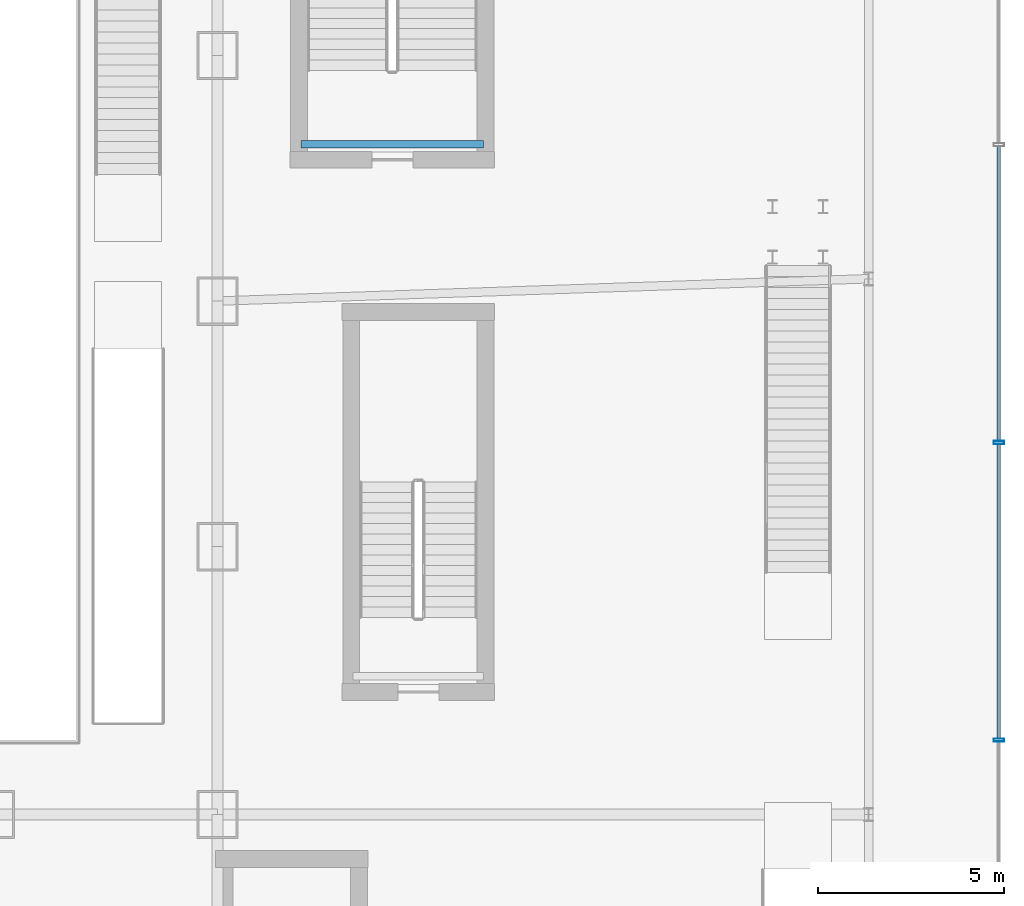
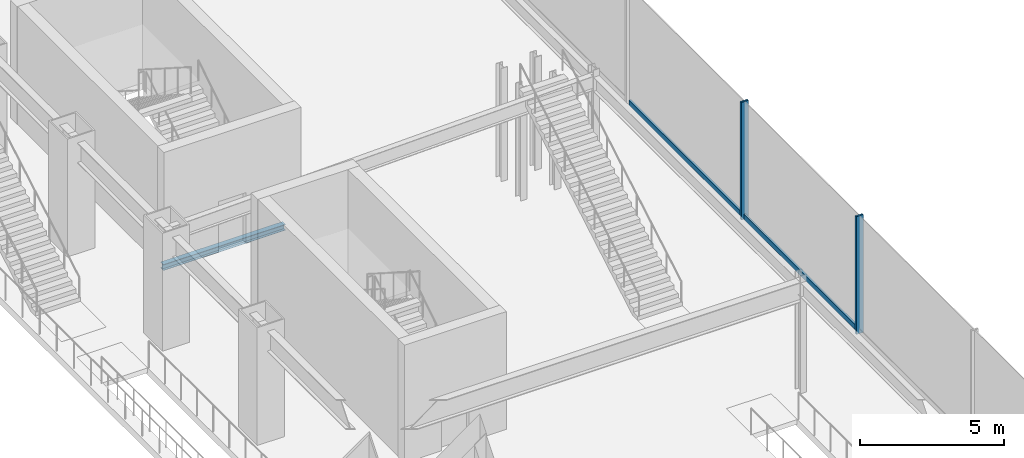
# One storey, part 23 of 40: 4 members, 1 beam, 1 element without a shape of its own.
"""IFC4 building model written with IfcOpenShell, lengths in metres."""

from ifc_helpers import new_model, si_unit, derived_unit, direction, frame, origin, origin_2d, place, context, subcontext, project, spatial, hollow_rectangle, i_section, extrude, source, transform, mapped, material, material_profile, profile_set, type_object, element, aggregate, save


model = new_model("IFC4")

# Units and contexts
model_context = context("Model", 3, precision=1e-05, world=origin(), true_north=direction((0.0, 1.0)))
body_context = subcontext(model_context, "Body", "Model", "MODEL_VIEW")
ifc_project = project(units=[si_unit("LENGTHUNIT", "METRE"), si_unit("AREAUNIT", "SQUARE_METRE"), si_unit("VOLUMEUNIT", "CUBIC_METRE"), si_unit("PLANEANGLEUNIT", "RADIAN"), si_unit("MASSUNIT", "GRAM", prefix="KILO"), derived_unit("THERMALTRANSMITTANCEUNIT", [(si_unit("POWERUNIT", "WATT"), 1), (si_unit("LENGTHUNIT", "METRE"), -2), (si_unit("THERMODYNAMICTEMPERATUREUNIT", "KELVIN"), -1)])], contexts=[model_context])

# Site, building, storey
site_placement = place(None, origin())
site = spatial("IfcSite", under=ifc_project, at=site_placement, CompositionType="ELEMENT")
building_placement = place(site_placement, origin())
building = spatial("IfcBuilding", under=site, at=building_placement, Name="Skarnbrae Concourse Arena and Tower", CompositionType="ELEMENT")
storey_placement = place(building_placement, frame((0.0, 0.0, 6.0)))
storey = spatial("IfcBuildingStorey", under=building, at=storey_placement, Name="L01", CompositionType="ELEMENT", Elevation=6.0)

# Curtain wall, members
ifc_material_1 = material(Name="Bronze anodised aluminium 6063-T6", Category="aluminium")
curtain_wall_type = type_object("IfcCurtainWallType", Name="CW-SYS-01-PODIUM", PredefinedType="USERDEFINED", material=ifc_material_1)
curtain_wall_placement = place(storey_placement, origin())
curtain_wall = element("IfcCurtainWall", 1, at=curtain_wall_placement, inside=storey, type_object=curtain_wall_type, Name="L01 Unitised curtain wall CW-L01-E", ObjectType="UNITISED CURTAIN WALL", PredefinedType="USERDEFINED")
ifc_material_profile_1 = material_profile(ifc_material_1, hollow_rectangle(XDim=0.0849609375, YDim=0.280029296875, WallThickness=0.006103515625, at=origin_2d()), Name="ALU-MULL-85X280")
ifc_profile_set_1 = profile_set([ifc_material_profile_1], Name="Bronze anodised aluminium 6063-T6")
member_type_1 = type_object("IfcMemberType", Name="CWM-CW-01", PredefinedType="MULLION", material=ifc_profile_set_1)
shared_shape_1 = source(origin(), body_context, "Body", "SweptSolid", [
    extrude(hollow_rectangle(XDim=0.0849609375, YDim=0.280029296875, WallThickness=0.006103515625, at=origin_2d()), origin(), (0.0, 0.0, 1.0), 5.0),
])
member_1_placement = place(storey_placement, frame((82.0, 16.0, 0.0), z_axis=(0.0, 0.0, 1.0), x_axis=(0.0, 1.0, 0.0)))
member_1 = element("IfcMember", 2, at=member_1_placement, type_object=member_type_1, Name="CW-L01-E Mullion 3", PredefinedType="MULLION", context=body_context, shape_type="MappedRepresentation", body=[
    mapped(shared_shape_1, transform((0.0, 0.0, 0.0))),
])
member_2_placement = place(storey_placement, frame((82.0, 24.0, 0.0), z_axis=(0.0, 0.0, 1.0), x_axis=(0.0, 1.0, 0.0)))
member_2 = element("IfcMember", 3, at=member_2_placement, type_object=member_type_1, Name="CW-L01-E Mullion 4", PredefinedType="MULLION", context=body_context, shape_type="MappedRepresentation", body=[
    mapped(shared_shape_1, transform((0.0, 0.0, 0.0))),
])
ifc_material_profile_2 = material_profile(ifc_material_1, hollow_rectangle(XDim=0.0849609375, YDim=0.219970703125, WallThickness=0.006103515625, at=origin_2d()), Name="ALU-TRAN-85X220")
ifc_profile_set_2 = profile_set([ifc_material_profile_2], Name="Bronze anodised aluminium 6063-T6")
member_type_2 = type_object("IfcMemberType", Name="CWT-CW-01", PredefinedType="USERDEFINED", material=ifc_profile_set_2)
shared_shape_2 = source(origin(), body_context, "Body", "SweptSolid", [
    extrude(hollow_rectangle(XDim=0.0849609375, YDim=0.219970703125, WallThickness=0.006103515625, at=origin_2d()), origin(), (0.0, 0.0, 1.0), 7.9150390625),
])
member_3_placement = place(storey_placement, frame((82.0, 16.04248046875, 0.110107421875), z_axis=(0.0, 1.0, 0.0), x_axis=(-1.0, 0.0, 0.0)))
member_3 = element("IfcMember", 4, at=member_3_placement, type_object=member_type_2, Name="CW-L01-E Transom 3", ObjectType="TRANSOM", PredefinedType="USERDEFINED", context=body_context, shape_type="MappedRepresentation", body=[
    mapped(shared_shape_2, transform((0.0, 0.0, 0.0))),
])
member_4_placement = place(storey_placement, frame((82.0, 24.04248046875, 0.110107421875), z_axis=(0.0, 1.0, 0.0), x_axis=(-1.0, 0.0, 0.0)))
member_4 = element("IfcMember", 5, at=member_4_placement, type_object=member_type_2, Name="CW-L01-E Transom 4", ObjectType="TRANSOM", PredefinedType="USERDEFINED", context=body_context, shape_type="MappedRepresentation", body=[
    mapped(shared_shape_2, transform((0.0, 0.0, 0.0))),
])
aggregate(curtain_wall, [member_1, member_2, member_3, member_4])

# Beam
ifc_material_2 = material(Name="Steel CSA G40.21 350W", Category="steel")
ifc_material_profile_3 = material_profile(ifc_material_2, i_section(OverallWidth=0.202880859375, OverallDepth=0.251953125, WebThickness=0.008056640625, FlangeThickness=0.013427734375, at=origin_2d()), Name="W250X58")
ifc_profile_set_3 = profile_set([ifc_material_profile_3], Name="Steel CSA G40.21 350W")
beam_type = type_object("IfcBeamType", Name="BM-LINTEL-W250X58", PredefinedType="LINTEL", material=ifc_profile_set_3)
shared_shape_3 = source(origin(), body_context, "Body", "SweptSolid", [
    extrude(i_section(OverallWidth=0.202880859375, OverallDepth=0.251953125, WebThickness=0.008056640625, FlangeThickness=0.013427734375, at=origin_2d()), origin(), (0.0, 0.0, 1.0), 4.89990234375),
])
beam_placement = place(storey_placement, frame((68.14990234375, 32.02001953125, -0.325927734375), z_axis=(-1.0, 0.0, 0.0), x_axis=(0.0, -1.0, 0.0)))
element("IfcBeam", 6, at=beam_placement, inside=storey, type_object=beam_type, Name="L01 Stair ST-A4 near landing soffit beam", PredefinedType="LINTEL", context=body_context, shape_type="MappedRepresentation", body=[
    mapped(shared_shape_3, transform((0.0, 0.0, 0.0))),
])

save(model, "model.ifc")
